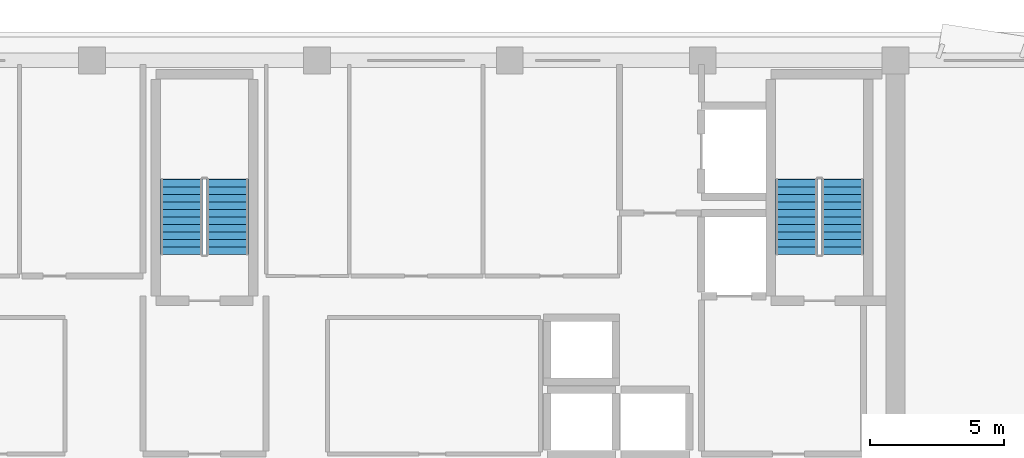
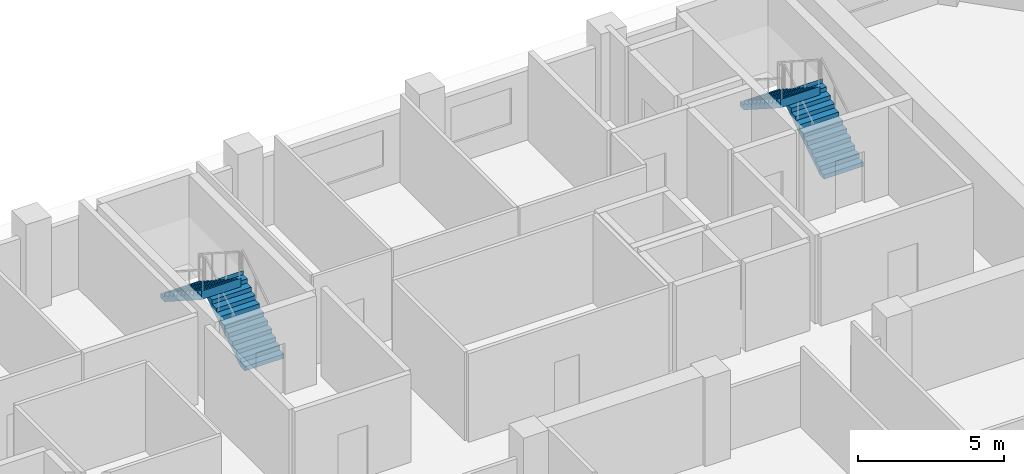
# One storey, part 8 of 11: 4 stair flights, 2 elements without a shape of their own.
"""IFC4 building model written with IfcOpenShell, lengths in metres."""

from ifc_helpers import new_model, si_unit, direction, frame, origin, place, context, subcontext, project, spatial, polyline, outline, extrude, material, type_object, element, aggregate, save


model = new_model("IFC4")

# Units and contexts
model_context = context("Model", 3, precision=1e-05, world=origin(), true_north=direction((0.0, 1.0)))
body_context = subcontext(model_context, "Body", "Model", "MODEL_VIEW")
ifc_project = project(units=[si_unit("LENGTHUNIT", "METRE"), si_unit("AREAUNIT", "SQUARE_METRE"), si_unit("VOLUMEUNIT", "CUBIC_METRE"), si_unit("PLANEANGLEUNIT", "RADIAN"), si_unit("MASSUNIT", "GRAM", prefix="KILO")], contexts=[model_context])

# Site, building, storey
site_placement = place(None, origin())
site = spatial("IfcSite", under=ifc_project, at=site_placement, CompositionType="ELEMENT")
building_placement = place(site_placement, origin())
building = spatial("IfcBuilding", under=site, at=building_placement, Name="Kaelvorn Grand Hotel", CompositionType="ELEMENT")
storey_placement = place(building_placement, frame((0.0, 0.0, 252.85009765625)))
storey = spatial("IfcBuildingStorey", under=building, at=storey_placement, Name="L62", CompositionType="ELEMENT", Elevation=252.85009765625)

# Stair, stair flights
ifc_material = material(Name="Concrete C40/50", Category="concrete")
stair_type = type_object("IfcStairType", Name="STR-DOG-1560-R09", PredefinedType="HALF_TURN_STAIR", material=ifc_material)
stair_1_placement = place(storey_placement, origin())
stair_1 = element("IfcStair", 1, at=stair_1_placement, inside=storey, type_object=stair_type, Name="L62 Central Core Exit Stair ST2", PredefinedType="HALF_TURN_STAIR")
stair_flight_type = type_object("IfcStairFlightType", Name="FLG-DOG-1560-R09", PredefinedType="STRAIGHT", material=ifc_material)
stair_flight_1_placement = place(storey_placement, frame((42.860107421875, 41.760009765625, 0.0), z_axis=(0.0, 0.0, 1.0), x_axis=(0.0, 1.0, 0.0)))
stair_flight_1 = element("IfcStairFlight", 2, at=stair_flight_1_placement, type_object=stair_flight_type, Name="ST2 flight 1", NumberOfRisers=11, NumberOfTreads=10, PredefinedType="STRAIGHT", RiserHeight=0.179545455, TreadLength=0.28, context=body_context, shape_type="SweptSolid", body=[
    extrude(outline(polyline([(-0.0048828125, 0.0), (-0.0048828125, 0.0400390625), (0.0, 0.179443359375), (0.280029296875, 0.179443359375), (0.280029296875, 0.359130859375), (0.56005859375, 0.359130859375), (0.56005859375, 0.53857421875), (0.840087890625, 0.53857421875), (0.840087890625, 0.71826171875), (1.1201171875, 0.71826171875), (1.1201171875, 0.897705078125), (1.39990234375, 0.897705078125), (1.39990234375, 1.077392578125), (1.679931640625, 1.077392578125), (1.679931640625, 1.2568359375), (1.9599609375, 1.2568359375), (1.9599609375, 1.436279296875), (2.239990234375, 1.436279296875), (2.239990234375, 1.615966796875), (2.52001953125, 1.615966796875), (2.52001953125, 1.79541015625), (2.800048828125, 1.79541015625), (2.800048828125, 1.97509765625), (2.804931640625, 1.97509765625), (2.804931640625, 1.617431640625), (0.277587890625, 0.0), (-0.0048828125, 0.0)])), frame((0.0, 0.780029296875, 0.0), z_axis=(0.0, -1.0, 0.0), x_axis=(1.0, 0.0, 0.0)), (0.0, 0.0, 1.0), 1.56005859375),
])
stair_flight_2_placement = place(storey_placement, frame((41.139892578125, 44.56005859375, 1.974853515625), z_axis=(0.0, 0.0, 1.0), x_axis=(0.0, -1.0, 0.0)))
stair_flight_2 = element("IfcStairFlight", 3, at=stair_flight_2_placement, type_object=stair_flight_type, Name="ST2 flight 2", NumberOfRisers=11, NumberOfTreads=10, PredefinedType="STRAIGHT", RiserHeight=0.179545455, TreadLength=0.28, context=body_context, shape_type="SweptSolid", body=[
    extrude(outline(polyline([(-0.0048828125, 0.0), (-0.0048828125, 0.0400390625), (0.0, 0.179443359375), (0.280029296875, 0.179443359375), (0.280029296875, 0.359130859375), (0.56005859375, 0.359130859375), (0.56005859375, 0.53857421875), (0.840087890625, 0.53857421875), (0.840087890625, 0.71826171875), (1.1201171875, 0.71826171875), (1.1201171875, 0.897705078125), (1.39990234375, 0.897705078125), (1.39990234375, 1.077392578125), (1.679931640625, 1.077392578125), (1.679931640625, 1.2568359375), (1.9599609375, 1.2568359375), (1.9599609375, 1.436279296875), (2.239990234375, 1.436279296875), (2.239990234375, 1.615966796875), (2.52001953125, 1.615966796875), (2.52001953125, 1.79541015625), (2.800048828125, 1.79541015625), (2.800048828125, 1.97509765625), (2.804931640625, 1.97509765625), (2.804931640625, 1.617431640625), (0.277587890625, 0.0), (-0.0048828125, 0.0)])), frame((0.0, 0.780029296875, 0.0), z_axis=(0.0, -1.0, 0.0), x_axis=(1.0, 0.0, 0.0)), (0.0, 0.0, 1.0), 1.56005859375),
])
aggregate(stair_1, [stair_flight_1, stair_flight_2])

stair_2_placement = place(storey_placement, origin())
stair_2 = element("IfcStair", 4, at=stair_2_placement, inside=storey, type_object=stair_type, Name="L62 East Core Exit Stair ST3", PredefinedType="HALF_TURN_STAIR")
stair_flight_3_placement = place(storey_placement, frame((65.820068359375, 41.760009765625, 0.0), z_axis=(0.0, 0.0, 1.0), x_axis=(0.0, 1.0, 0.0)))
stair_flight_3 = element("IfcStairFlight", 5, at=stair_flight_3_placement, type_object=stair_flight_type, Name="ST3 flight 1", NumberOfRisers=11, NumberOfTreads=10, PredefinedType="STRAIGHT", RiserHeight=0.179545455, TreadLength=0.28, context=body_context, shape_type="SweptSolid", body=[
    extrude(outline(polyline([(-0.0048828125, 0.0), (-0.0048828125, 0.0400390625), (0.0, 0.179443359375), (0.280029296875, 0.179443359375), (0.280029296875, 0.359130859375), (0.56005859375, 0.359130859375), (0.56005859375, 0.53857421875), (0.840087890625, 0.53857421875), (0.840087890625, 0.71826171875), (1.1201171875, 0.71826171875), (1.1201171875, 0.897705078125), (1.39990234375, 0.897705078125), (1.39990234375, 1.077392578125), (1.679931640625, 1.077392578125), (1.679931640625, 1.2568359375), (1.9599609375, 1.2568359375), (1.9599609375, 1.436279296875), (2.239990234375, 1.436279296875), (2.239990234375, 1.615966796875), (2.52001953125, 1.615966796875), (2.52001953125, 1.79541015625), (2.800048828125, 1.79541015625), (2.800048828125, 1.97509765625), (2.804931640625, 1.97509765625), (2.804931640625, 1.617431640625), (0.277587890625, 0.0), (-0.0048828125, 0.0)])), frame((0.0, 0.780029296875, 0.0), z_axis=(0.0, -1.0, 0.0), x_axis=(1.0, 0.0, 0.0)), (0.0, 0.0, 1.0), 1.56005859375),
])
stair_flight_4_placement = place(storey_placement, frame((64.10009765625, 44.56005859375, 1.974853515625), z_axis=(0.0, 0.0, 1.0), x_axis=(0.0, -1.0, 0.0)))
stair_flight_4 = element("IfcStairFlight", 6, at=stair_flight_4_placement, type_object=stair_flight_type, Name="ST3 flight 2", NumberOfRisers=11, NumberOfTreads=10, PredefinedType="STRAIGHT", RiserHeight=0.179545455, TreadLength=0.28, context=body_context, shape_type="SweptSolid", body=[
    extrude(outline(polyline([(-0.0048828125, 0.0), (-0.0048828125, 0.0400390625), (0.0, 0.179443359375), (0.280029296875, 0.179443359375), (0.280029296875, 0.359130859375), (0.56005859375, 0.359130859375), (0.56005859375, 0.53857421875), (0.840087890625, 0.53857421875), (0.840087890625, 0.71826171875), (1.1201171875, 0.71826171875), (1.1201171875, 0.897705078125), (1.39990234375, 0.897705078125), (1.39990234375, 1.077392578125), (1.679931640625, 1.077392578125), (1.679931640625, 1.2568359375), (1.9599609375, 1.2568359375), (1.9599609375, 1.436279296875), (2.239990234375, 1.436279296875), (2.239990234375, 1.615966796875), (2.52001953125, 1.615966796875), (2.52001953125, 1.79541015625), (2.800048828125, 1.79541015625), (2.800048828125, 1.97509765625), (2.804931640625, 1.97509765625), (2.804931640625, 1.617431640625), (0.277587890625, 0.0), (-0.0048828125, 0.0)])), frame((0.0, 0.780029296875, 0.0), z_axis=(0.0, -1.0, 0.0), x_axis=(1.0, 0.0, 0.0)), (0.0, 0.0, 1.0), 1.56005859375),
])
aggregate(stair_2, [stair_flight_3, stair_flight_4])

save(model, "model.ifc")
